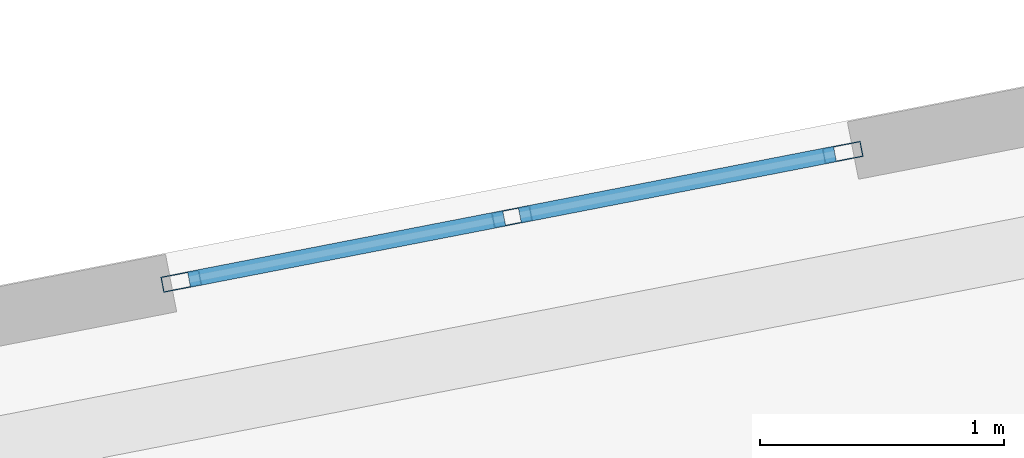
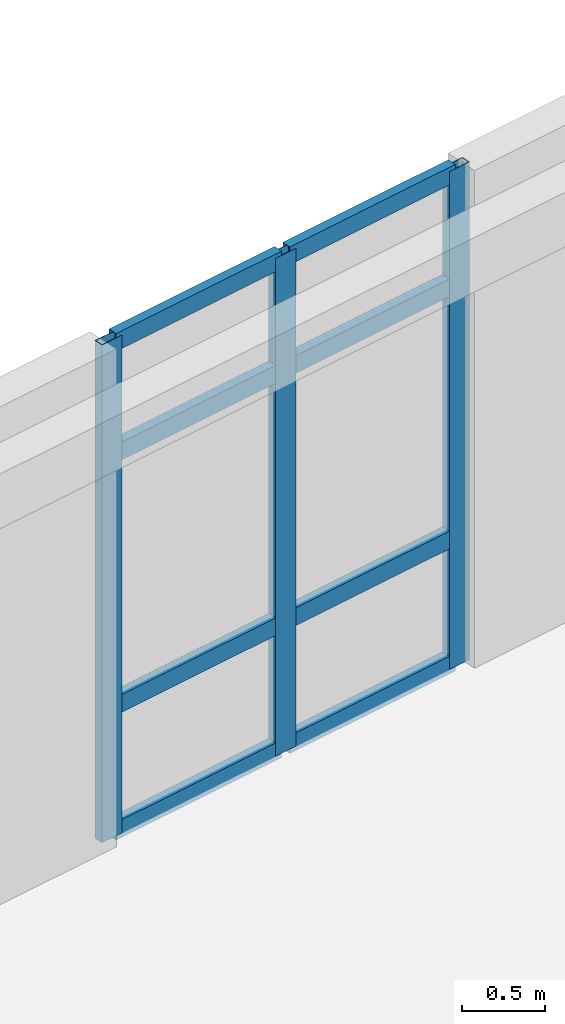
# One storey, part 60 of 150: 11 members, 1 element without a shape of its own.
"""IFC4 building model written with IfcOpenShell, lengths in metres."""

from ifc_helpers import new_model, si_unit, direction, frame, origin, origin_2d, place, context, subcontext, project, spatial, hollow_rectangle, extrude, material, material_profile, profile_set, type_object, element, aggregate, save


model = new_model("IFC4")

# Units and contexts
model_context = context("Model", 3, precision=1e-05, world=origin(), true_north=direction((0.0, 1.0)))
body_context = subcontext(model_context, "Body", "Model", "MODEL_VIEW")
ifc_project = project(units=[si_unit("LENGTHUNIT", "METRE"), si_unit("AREAUNIT", "SQUARE_METRE"), si_unit("VOLUMEUNIT", "CUBIC_METRE"), si_unit("PLANEANGLEUNIT", "RADIAN"), si_unit("MASSUNIT", "GRAM", prefix="KILO")], contexts=[model_context])

# Site, building, storey
site_placement = place(None, origin())
site = spatial("IfcSite", under=ifc_project, at=site_placement, CompositionType="ELEMENT")
building_placement = place(site_placement, origin())
building = spatial("IfcBuilding", under=site, at=building_placement, Name="Kestramere Prow Commons", CompositionType="ELEMENT")
storey_placement = place(building_placement, frame((0.0, 0.0, 4.5)))
storey = spatial("IfcBuildingStorey", under=building, at=storey_placement, Name="L01", CompositionType="ELEMENT", Elevation=4.5)

# Curtain wall, members
ifc_material_1 = material(Name="Anodised Aluminium and Low-E Glass", Category="aluminium")
curtain_wall_type = type_object("IfcCurtainWallType", Name="CW-02 Glazed Curtain Wall 2830x3650", PredefinedType="USERDEFINED", material=ifc_material_1)
curtain_wall_placement = place(storey_placement, origin())
curtain_wall = element("IfcCurtainWall", 1, at=curtain_wall_placement, inside=storey, type_object=curtain_wall_type, Name="Block D L01 Stairwell Vertical Glazing 5", ObjectType="GLAZED CURTAIN WALL", PredefinedType="USERDEFINED")
ifc_material_2 = material(Name="Anodised Aluminium 6063-T6", Category="aluminium")
ifc_material_profile_1 = material_profile(ifc_material_2, hollow_rectangle(XDim=0.06494140625, YDim=0.159912109375, WallThickness=0.00390625, at=origin_2d()), Name="ALU-MUL 65x160")
ifc_profile_set_1 = profile_set([ifc_material_profile_1], Name="Anodised Aluminium 6063-T6")
member_type_1 = type_object("IfcMemberType", Name="CW-MUL-65x160", PredefinedType="MULLION", material=ifc_profile_set_1)
member_1_placement = place(storey_placement, frame((146.7744140625, 60.01708984375, 0.0), z_axis=(0.0, 0.0, 1.0), x_axis=(-0.190808835118, 0.981627214599, 0.0)))
member_1 = element("IfcMember", 2, at=member_1_placement, type_object=member_type_1, Name="CW-02 mullion 1", PredefinedType="MULLION", context=body_context, shape_type="SweptSolid", body=[
    extrude(hollow_rectangle(XDim=0.06494140625, YDim=0.159912109375, WallThickness=0.00390625, at=origin_2d()), origin(), (0.0, 0.0, 1.0), 3.64990234375),
])
member_2_placement = place(storey_placement, frame((148.131591796875, 60.281005859375, 0.0), z_axis=(0.0, 0.0, 1.0), x_axis=(-0.190808835118, 0.981627214599, 0.0)))
member_2 = element("IfcMember", 3, at=member_2_placement, type_object=member_type_1, Name="CW-02 mullion 2", PredefinedType="MULLION", context=body_context, shape_type="SweptSolid", body=[
    extrude(hollow_rectangle(XDim=0.06494140625, YDim=0.159912109375, WallThickness=0.00390625, at=origin_2d()), origin(), (0.0, 0.0, 1.0), 3.64990234375),
])
member_3_placement = place(storey_placement, frame((149.48876953125, 60.544677734375, 0.0), z_axis=(0.0, 0.0, 1.0), x_axis=(-0.190808835118, 0.981627214599, 0.0)))
member_3 = element("IfcMember", 4, at=member_3_placement, type_object=member_type_1, Name="CW-02 mullion 3", PredefinedType="MULLION", context=body_context, shape_type="SweptSolid", body=[
    extrude(hollow_rectangle(XDim=0.06494140625, YDim=0.159912109375, WallThickness=0.00390625, at=origin_2d()), origin(), (0.0, 0.0, 1.0), 3.64990234375),
])
ifc_material_profile_2 = material_profile(ifc_material_2, hollow_rectangle(XDim=0.06494140625, YDim=0.1298828125, WallThickness=0.00390625, at=origin_2d()), Name="ALU-TRN 65x130")
ifc_profile_set_2 = profile_set([ifc_material_profile_2], Name="Anodised Aluminium 6063-T6")
member_type_2 = type_object("IfcMemberType", Name="CW-TRN-65x130", PredefinedType="USERDEFINED", material=ifc_profile_set_2)
member_4_placement = place(storey_placement, frame((146.806396484375, 60.0234375, 0.032470703125), z_axis=(0.981649131804, 0.190696046182, 0.0), x_axis=(-0.190696046182, 0.981649131804, 0.0)))
member_4 = element("IfcMember", 5, at=member_4_placement, type_object=member_type_2, Name="CW-02 transom 1.1", ObjectType="TRANSOM", PredefinedType="USERDEFINED", context=body_context, shape_type="SweptSolid", body=[
    extrude(hollow_rectangle(XDim=0.06494140625, YDim=0.1298828125, WallThickness=0.00390625, at=origin_2d()), origin(), (0.0, 0.0, 1.0), 1.3173828125),
])
member_5_placement = place(storey_placement, frame((146.806396484375, 60.0234375, 0.949951171875), z_axis=(0.981649131804, 0.190696046182, 0.0), x_axis=(-0.190696046182, 0.981649131804, 0.0)))
member_5 = element("IfcMember", 6, at=member_5_placement, type_object=member_type_2, Name="CW-02 transom 1.2", ObjectType="TRANSOM", PredefinedType="USERDEFINED", context=body_context, shape_type="SweptSolid", body=[
    extrude(hollow_rectangle(XDim=0.06494140625, YDim=0.1298828125, WallThickness=0.00390625, at=origin_2d()), origin(), (0.0, 0.0, 1.0), 1.3173828125),
])
member_6_placement = place(storey_placement, frame((146.806396484375, 60.0234375, 2.800048828125), z_axis=(0.981649131804, 0.190696046182, 0.0), x_axis=(-0.190696046182, 0.981649131804, 0.0)))
member_6 = element("IfcMember", 7, at=member_6_placement, type_object=member_type_2, Name="CW-02 transom 1.3", ObjectType="TRANSOM", PredefinedType="USERDEFINED", context=body_context, shape_type="SweptSolid", body=[
    extrude(hollow_rectangle(XDim=0.06494140625, YDim=0.1298828125, WallThickness=0.00390625, at=origin_2d()), origin(), (0.0, 0.0, 1.0), 1.3173828125),
])
member_7_placement = place(storey_placement, frame((146.806396484375, 60.0234375, 3.617431640625), z_axis=(0.981649131804, 0.190696046182, 0.0), x_axis=(-0.190696046182, 0.981649131804, 0.0)))
member_7 = element("IfcMember", 8, at=member_7_placement, type_object=member_type_2, Name="CW-02 transom 1.4", ObjectType="TRANSOM", PredefinedType="USERDEFINED", context=body_context, shape_type="SweptSolid", body=[
    extrude(hollow_rectangle(XDim=0.06494140625, YDim=0.1298828125, WallThickness=0.00390625, at=origin_2d()), origin(), (0.0, 0.0, 1.0), 1.3173828125),
])
member_8_placement = place(storey_placement, frame((148.16357421875, 60.287109375, 0.032470703125), z_axis=(0.981614425191, 0.190874619208, 0.0), x_axis=(-0.190874619208, 0.981614425191, 0.0)))
member_8 = element("IfcMember", 9, at=member_8_placement, type_object=member_type_2, Name="CW-02 transom 2.1", ObjectType="TRANSOM", PredefinedType="USERDEFINED", context=body_context, shape_type="SweptSolid", body=[
    extrude(hollow_rectangle(XDim=0.06494140625, YDim=0.1298828125, WallThickness=0.00390625, at=origin_2d()), origin(), (0.0, 0.0, 1.0), 1.3173828125),
])
member_9_placement = place(storey_placement, frame((148.16357421875, 60.287109375, 0.949951171875), z_axis=(0.981614425191, 0.190874619208, 0.0), x_axis=(-0.190874619208, 0.981614425191, 0.0)))
member_9 = element("IfcMember", 10, at=member_9_placement, type_object=member_type_2, Name="CW-02 transom 2.2", ObjectType="TRANSOM", PredefinedType="USERDEFINED", context=body_context, shape_type="SweptSolid", body=[
    extrude(hollow_rectangle(XDim=0.06494140625, YDim=0.1298828125, WallThickness=0.00390625, at=origin_2d()), origin(), (0.0, 0.0, 1.0), 1.3173828125),
])
member_10_placement = place(storey_placement, frame((148.16357421875, 60.287109375, 2.800048828125), z_axis=(0.981614425191, 0.190874619208, 0.0), x_axis=(-0.190874619208, 0.981614425191, 0.0)))
member_10 = element("IfcMember", 11, at=member_10_placement, type_object=member_type_2, Name="CW-02 transom 2.3", ObjectType="TRANSOM", PredefinedType="USERDEFINED", context=body_context, shape_type="SweptSolid", body=[
    extrude(hollow_rectangle(XDim=0.06494140625, YDim=0.1298828125, WallThickness=0.00390625, at=origin_2d()), origin(), (0.0, 0.0, 1.0), 1.3173828125),
])
member_11_placement = place(storey_placement, frame((148.16357421875, 60.287109375, 3.617431640625), z_axis=(0.981614425191, 0.190874619208, 0.0), x_axis=(-0.190874619208, 0.981614425191, 0.0)))
member_11 = element("IfcMember", 12, at=member_11_placement, type_object=member_type_2, Name="CW-02 transom 2.4", ObjectType="TRANSOM", PredefinedType="USERDEFINED", context=body_context, shape_type="SweptSolid", body=[
    extrude(hollow_rectangle(XDim=0.06494140625, YDim=0.1298828125, WallThickness=0.00390625, at=origin_2d()), origin(), (0.0, 0.0, 1.0), 1.3173828125),
])
aggregate(curtain_wall, [member_1, member_2, member_3, member_4, member_5, member_6, member_7, member_8, member_9, member_10, member_11])

save(model, "model.ifc")
